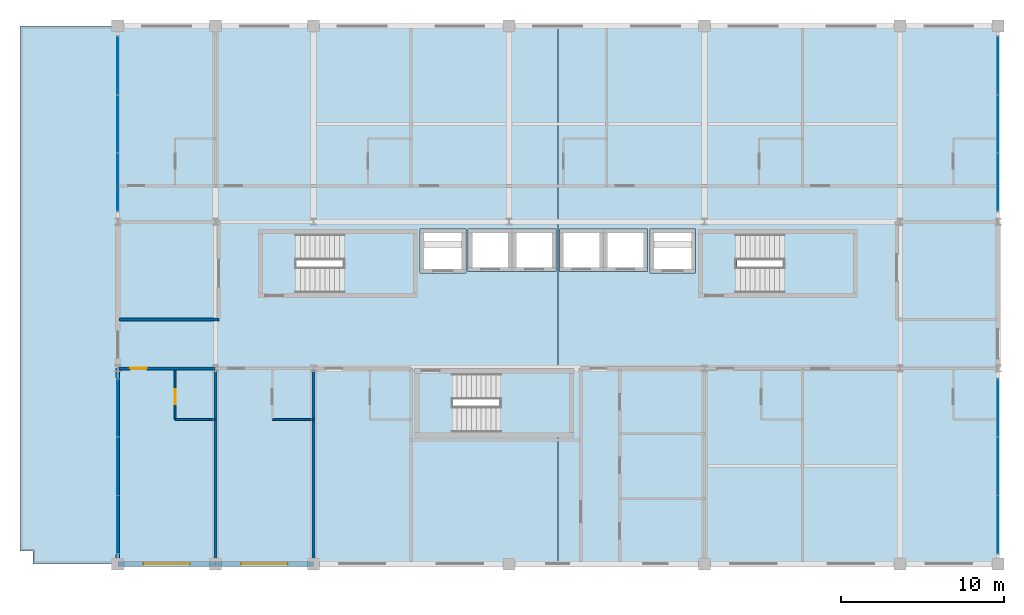
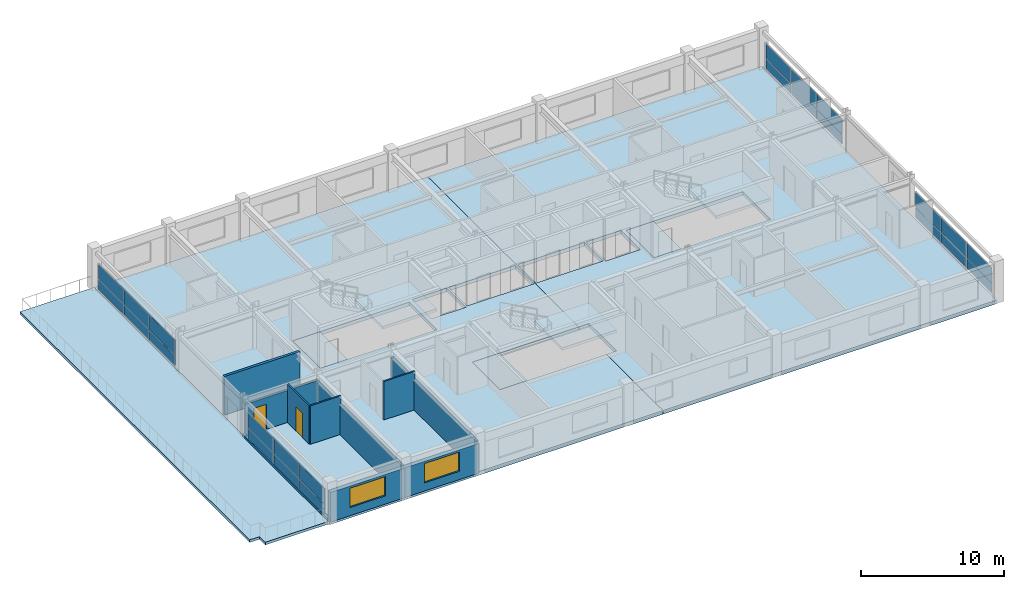
# One storey, part 16 of 21: 24 plates, 10 walls, 9 slabs, 2 doors, 2 windows, 4 openings, 7 elements without a shape of their own.
"""IFC4 building model written with IfcOpenShell, lengths in metres."""

from ifc_helpers import new_model, si_unit, direction, frame, frame_2d, origin, origin_2d, place, context, subcontext, project, spatial, polyline, rectangle, outline, extrude, material, layer, layer_set, type_object, element, fill, aggregate, save


model = new_model("IFC4")

# Units and contexts
model_context = context("Model", 3, precision=1e-05, world=origin(), true_north=direction((0.0, 1.0)))
body_context = subcontext(model_context, "Body", "Model", "MODEL_VIEW")
ifc_project = project(units=[si_unit("LENGTHUNIT", "METRE"), si_unit("AREAUNIT", "SQUARE_METRE"), si_unit("VOLUMEUNIT", "CUBIC_METRE"), si_unit("PLANEANGLEUNIT", "RADIAN"), si_unit("MASSUNIT", "GRAM", prefix="KILO")], contexts=[model_context])

# Site, building, storey
site_placement = place(None, origin())
site = spatial("IfcSite", under=ifc_project, at=site_placement, CompositionType="ELEMENT")
building_placement = place(site_placement, origin())
building = spatial("IfcBuilding", under=site, at=building_placement, Name="Kaldorvane Square Convention Centre", CompositionType="ELEMENT")
storey_placement = place(building_placement, frame((0.0, 0.0, 49.19999694824219)))
storey = spatial("IfcBuildingStorey", under=building, at=storey_placement, Name="L11", CompositionType="ELEMENT", Elevation=49.19999694824219)

# Curtain wall, plates
ifc_material_1 = material(Name="Anodized Aluminum and Low-E Insulated Glazing", Category="aluminium")
curtain_wall_type_1 = type_object("IfcCurtainWallType", Name="CW-UNI-HTL-A", PredefinedType="USERDEFINED", material=ifc_material_1)
curtain_wall_1_placement = place(storey_placement, origin())
curtain_wall_1 = element("IfcCurtainWall", 1, at=curtain_wall_1_placement, inside=storey, type_object=curtain_wall_type_1, Name="Curtain Wall CW-10 (L11)", ObjectType="UNITISED GLAZING", PredefinedType="USERDEFINED")
ifc_layer_1 = layer(ifc_material_1, 0.0240020751953125)
ifc_layer_set_1 = layer_set([ifc_layer_1], Name="Anodized Aluminum and Low-E Insulated Glazing")
plate_type_1 = type_object("IfcPlateType", Name="CW-PNL-11", PredefinedType="CURTAIN_PANEL", material=ifc_layer_set_1)
plate_1_placement = place(storey_placement, frame((84.0, 86.41499328613281, 0.2050018310546875), z_axis=(0.0, 0.0, 1.0), x_axis=(0.0, 1.0, 0.0)))
plate_1 = element("IfcPlate", 2, at=plate_1_placement, type_object=plate_type_1, Name="CW-10 panel 1.1", PredefinedType="CURTAIN_PANEL", context=body_context, shape_type="SweptSolid", body=[
    extrude(rectangle(XDim=3.5099945068359375, YDim=0.0240020751953125, at=origin_2d()), origin(), (0.0, 0.0, 1.0), 0.8175048828125),
])
plate_2_placement = place(storey_placement, frame((84.0, 86.41499328613281, 1.0774993896484375), z_axis=(0.0, 0.0, 1.0), x_axis=(0.0, 1.0, 0.0)))
plate_2 = element("IfcPlate", 3, at=plate_2_placement, type_object=plate_type_1, Name="CW-10 panel 1.2", PredefinedType="CURTAIN_PANEL", context=body_context, shape_type="SweptSolid", body=[
    extrude(rectangle(XDim=3.5099945068359375, YDim=0.0240020751953125, at=origin_2d()), origin(), (0.0, 0.0, 1.0), 1.277496337890625),
])
plate_3_placement = place(storey_placement, frame((84.0, 90.0, 0.2050018310546875), z_axis=(0.0, 0.0, 1.0), x_axis=(0.0, 1.0, 0.0)))
plate_3 = element("IfcPlate", 4, at=plate_3_placement, type_object=plate_type_1, Name="CW-10 panel 2.1", PredefinedType="CURTAIN_PANEL", context=body_context, shape_type="SweptSolid", body=[
    extrude(rectangle(XDim=3.5399932861328125, YDim=0.0240020751953125, at=origin_2d()), origin(), (0.0, 0.0, 1.0), 0.8175048828125),
])
plate_4_placement = place(storey_placement, frame((84.0, 90.0, 1.0774993896484375), z_axis=(0.0, 0.0, 1.0), x_axis=(0.0, 1.0, 0.0)))
plate_4 = element("IfcPlate", 5, at=plate_4_placement, type_object=plate_type_1, Name="CW-10 panel 2.2", PredefinedType="CURTAIN_PANEL", context=body_context, shape_type="SweptSolid", body=[
    extrude(rectangle(XDim=3.5399932861328125, YDim=0.0240020751953125, at=origin_2d()), origin(), (0.0, 0.0, 1.0), 1.277496337890625),
])
plate_5_placement = place(storey_placement, frame((84.0, 93.58500671386719, 0.2050018310546875), z_axis=(0.0, 0.0, 1.0), x_axis=(0.0, 1.0, 0.0)))
plate_5 = element("IfcPlate", 6, at=plate_5_placement, type_object=plate_type_1, Name="CW-10 panel 3.1", PredefinedType="CURTAIN_PANEL", context=body_context, shape_type="SweptSolid", body=[
    extrude(rectangle(XDim=3.5099945068359375, YDim=0.0240020751953125, at=origin_2d()), origin(), (0.0, 0.0, 1.0), 0.8175048828125),
])
plate_6_placement = place(storey_placement, frame((84.0, 93.58500671386719, 1.0774993896484375), z_axis=(0.0, 0.0, 1.0), x_axis=(0.0, 1.0, 0.0)))
plate_6 = element("IfcPlate", 7, at=plate_6_placement, type_object=plate_type_1, Name="CW-10 panel 3.2", PredefinedType="CURTAIN_PANEL", context=body_context, shape_type="SweptSolid", body=[
    extrude(rectangle(XDim=3.5099945068359375, YDim=0.0240020751953125, at=origin_2d()), origin(), (0.0, 0.0, 1.0), 1.277496337890625),
])
aggregate(curtain_wall_1, [plate_1, plate_2, plate_3, plate_4, plate_5, plate_6])

curtain_wall_2_placement = place(storey_placement, origin())
curtain_wall_2 = element("IfcCurtainWall", 8, at=curtain_wall_2_placement, inside=storey, type_object=curtain_wall_type_1, Name="Curtain Wall CW-10 (L11)", ObjectType="UNITISED GLAZING", PredefinedType="USERDEFINED")
plate_7_placement = place(storey_placement, frame((84.0, 107.41499328613281, 0.2050018310546875), z_axis=(0.0, 0.0, 1.0), x_axis=(0.0, 1.0, 0.0)))
plate_7 = element("IfcPlate", 9, at=plate_7_placement, type_object=plate_type_1, Name="CW-10 panel 1.1", PredefinedType="CURTAIN_PANEL", context=body_context, shape_type="SweptSolid", body=[
    extrude(rectangle(XDim=3.5099945068359375, YDim=0.0240020751953125, at=origin_2d()), origin(), (0.0, 0.0, 1.0), 0.8175048828125),
])
plate_8_placement = place(storey_placement, frame((84.0, 107.41499328613281, 1.0774993896484375), z_axis=(0.0, 0.0, 1.0), x_axis=(0.0, 1.0, 0.0)))
plate_8 = element("IfcPlate", 10, at=plate_8_placement, type_object=plate_type_1, Name="CW-10 panel 1.2", PredefinedType="CURTAIN_PANEL", context=body_context, shape_type="SweptSolid", body=[
    extrude(rectangle(XDim=3.5099945068359375, YDim=0.0240020751953125, at=origin_2d()), origin(), (0.0, 0.0, 1.0), 1.277496337890625),
])
plate_9_placement = place(storey_placement, frame((84.0, 111.0, 0.2050018310546875), z_axis=(0.0, 0.0, 1.0), x_axis=(0.0, 1.0, 0.0)))
plate_9 = element("IfcPlate", 11, at=plate_9_placement, type_object=plate_type_1, Name="CW-10 panel 2.1", PredefinedType="CURTAIN_PANEL", context=body_context, shape_type="SweptSolid", body=[
    extrude(rectangle(XDim=3.5399932861328125, YDim=0.0240020751953125, at=origin_2d()), origin(), (0.0, 0.0, 1.0), 0.8175048828125),
])
plate_10_placement = place(storey_placement, frame((84.0, 111.0, 1.0774993896484375), z_axis=(0.0, 0.0, 1.0), x_axis=(0.0, 1.0, 0.0)))
plate_10 = element("IfcPlate", 12, at=plate_10_placement, type_object=plate_type_1, Name="CW-10 panel 2.2", PredefinedType="CURTAIN_PANEL", context=body_context, shape_type="SweptSolid", body=[
    extrude(rectangle(XDim=3.5399932861328125, YDim=0.0240020751953125, at=origin_2d()), origin(), (0.0, 0.0, 1.0), 1.277496337890625),
])
plate_11_placement = place(storey_placement, frame((84.0, 114.58500671386719, 0.2050018310546875), z_axis=(0.0, 0.0, 1.0), x_axis=(0.0, 1.0, 0.0)))
plate_11 = element("IfcPlate", 13, at=plate_11_placement, type_object=plate_type_1, Name="CW-10 panel 3.1", PredefinedType="CURTAIN_PANEL", context=body_context, shape_type="SweptSolid", body=[
    extrude(rectangle(XDim=3.5099945068359375, YDim=0.0240020751953125, at=origin_2d()), origin(), (0.0, 0.0, 1.0), 0.8175048828125),
])
plate_12_placement = place(storey_placement, frame((84.0, 114.58500671386719, 1.0774993896484375), z_axis=(0.0, 0.0, 1.0), x_axis=(0.0, 1.0, 0.0)))
plate_12 = element("IfcPlate", 14, at=plate_12_placement, type_object=plate_type_1, Name="CW-10 panel 3.2", PredefinedType="CURTAIN_PANEL", context=body_context, shape_type="SweptSolid", body=[
    extrude(rectangle(XDim=3.5099945068359375, YDim=0.0240020751953125, at=origin_2d()), origin(), (0.0, 0.0, 1.0), 1.277496337890625),
])
aggregate(curtain_wall_2, [plate_7, plate_8, plate_9, plate_10, plate_11, plate_12])

curtain_wall_type_2 = type_object("IfcCurtainWallType", Name="CW-UNI-HTL-B", PredefinedType="USERDEFINED", material=ifc_material_1)
curtain_wall_3_placement = place(storey_placement, origin())
curtain_wall_3 = element("IfcCurtainWall", 15, at=curtain_wall_3_placement, inside=storey, type_object=curtain_wall_type_2, Name="Curtain Wall CW-11 (L11)", ObjectType="UNITISED GLAZING", PredefinedType="USERDEFINED")
ifc_layer_2 = layer(ifc_material_1, 0.0460052490234375)
ifc_layer_set_2 = layer_set([ifc_layer_2], Name="Anodized Aluminum and Low-E Insulated Glazing")
plate_type_2 = type_object("IfcPlateType", Name="CW-PNL-12", PredefinedType="CURTAIN_PANEL", material=ifc_layer_set_2)
plate_13_placement = place(storey_placement, frame((30.0, 93.58500671386719, 0.2050018310546875), z_axis=(0.0, 0.0, 1.0), x_axis=(0.0, -1.0, 0.0)))
plate_13 = element("IfcPlate", 16, at=plate_13_placement, type_object=plate_type_2, Name="CW-11 panel 1.1", PredefinedType="CURTAIN_PANEL", context=body_context, shape_type="SweptSolid", body=[
    extrude(rectangle(XDim=3.5099945068359375, YDim=0.0460052490234375, at=origin_2d()), origin(), (0.0, 0.0, 1.0), 0.8175048828125),
])
plate_14_placement = place(storey_placement, frame((30.0, 93.58500671386719, 1.0774993896484375), z_axis=(0.0, 0.0, 1.0), x_axis=(0.0, -1.0, 0.0)))
plate_14 = element("IfcPlate", 17, at=plate_14_placement, type_object=plate_type_2, Name="CW-11 panel 1.2", PredefinedType="CURTAIN_PANEL", context=body_context, shape_type="SweptSolid", body=[
    extrude(rectangle(XDim=3.5099945068359375, YDim=0.0460052490234375, at=origin_2d()), origin(), (0.0, 0.0, 1.0), 1.277496337890625),
])
plate_15_placement = place(storey_placement, frame((30.0, 90.0, 0.2050018310546875), z_axis=(0.0, 0.0, 1.0), x_axis=(0.0, -1.0, 0.0)))
plate_15 = element("IfcPlate", 18, at=plate_15_placement, type_object=plate_type_2, Name="CW-11 panel 2.1", PredefinedType="CURTAIN_PANEL", context=body_context, shape_type="SweptSolid", body=[
    extrude(rectangle(XDim=3.5399932861328125, YDim=0.0460052490234375, at=origin_2d()), origin(), (0.0, 0.0, 1.0), 0.8175048828125),
])
plate_16_placement = place(storey_placement, frame((30.0, 90.0, 1.0774993896484375), z_axis=(0.0, 0.0, 1.0), x_axis=(0.0, -1.0, 0.0)))
plate_16 = element("IfcPlate", 19, at=plate_16_placement, type_object=plate_type_2, Name="CW-11 panel 2.2", PredefinedType="CURTAIN_PANEL", context=body_context, shape_type="SweptSolid", body=[
    extrude(rectangle(XDim=3.5399932861328125, YDim=0.0460052490234375, at=origin_2d()), origin(), (0.0, 0.0, 1.0), 1.277496337890625),
])
plate_17_placement = place(storey_placement, frame((30.0, 86.41499328613281, 0.2050018310546875), z_axis=(0.0, 0.0, 1.0), x_axis=(0.0, -1.0, 0.0)))
plate_17 = element("IfcPlate", 20, at=plate_17_placement, type_object=plate_type_2, Name="CW-11 panel 3.1", PredefinedType="CURTAIN_PANEL", context=body_context, shape_type="SweptSolid", body=[
    extrude(rectangle(XDim=3.5099945068359375, YDim=0.0460052490234375, at=origin_2d()), origin(), (0.0, 0.0, 1.0), 0.8175048828125),
])
plate_18_placement = place(storey_placement, frame((30.0, 86.41499328613281, 1.0774993896484375), z_axis=(0.0, 0.0, 1.0), x_axis=(0.0, -1.0, 0.0)))
plate_18 = element("IfcPlate", 21, at=plate_18_placement, type_object=plate_type_2, Name="CW-11 panel 3.2", PredefinedType="CURTAIN_PANEL", context=body_context, shape_type="SweptSolid", body=[
    extrude(rectangle(XDim=3.5099945068359375, YDim=0.0460052490234375, at=origin_2d()), origin(), (0.0, 0.0, 1.0), 1.277496337890625),
])
aggregate(curtain_wall_3, [plate_13, plate_14, plate_15, plate_16, plate_17, plate_18])

curtain_wall_4_placement = place(storey_placement, origin())
curtain_wall_4 = element("IfcCurtainWall", 22, at=curtain_wall_4_placement, inside=storey, type_object=curtain_wall_type_2, Name="Curtain Wall CW-11 (L11)", ObjectType="UNITISED GLAZING", PredefinedType="USERDEFINED")
plate_19_placement = place(storey_placement, frame((30.0, 114.58500671386719, 0.2050018310546875), z_axis=(0.0, 0.0, 1.0), x_axis=(0.0, -1.0, 0.0)))
plate_19 = element("IfcPlate", 23, at=plate_19_placement, type_object=plate_type_2, Name="CW-11 panel 1.1", PredefinedType="CURTAIN_PANEL", context=body_context, shape_type="SweptSolid", body=[
    extrude(rectangle(XDim=3.5099945068359375, YDim=0.0460052490234375, at=origin_2d()), origin(), (0.0, 0.0, 1.0), 0.8175048828125),
])
plate_20_placement = place(storey_placement, frame((30.0, 114.58500671386719, 1.0774993896484375), z_axis=(0.0, 0.0, 1.0), x_axis=(0.0, -1.0, 0.0)))
plate_20 = element("IfcPlate", 24, at=plate_20_placement, type_object=plate_type_2, Name="CW-11 panel 1.2", PredefinedType="CURTAIN_PANEL", context=body_context, shape_type="SweptSolid", body=[
    extrude(rectangle(XDim=3.5099945068359375, YDim=0.0460052490234375, at=origin_2d()), origin(), (0.0, 0.0, 1.0), 1.277496337890625),
])
plate_21_placement = place(storey_placement, frame((30.0, 111.0, 0.2050018310546875), z_axis=(0.0, 0.0, 1.0), x_axis=(0.0, -1.0, 0.0)))
plate_21 = element("IfcPlate", 25, at=plate_21_placement, type_object=plate_type_2, Name="CW-11 panel 2.1", PredefinedType="CURTAIN_PANEL", context=body_context, shape_type="SweptSolid", body=[
    extrude(rectangle(XDim=3.5399932861328125, YDim=0.0460052490234375, at=origin_2d()), origin(), (0.0, 0.0, 1.0), 0.8175048828125),
])
plate_22_placement = place(storey_placement, frame((30.0, 111.0, 1.0774993896484375), z_axis=(0.0, 0.0, 1.0), x_axis=(0.0, -1.0, 0.0)))
plate_22 = element("IfcPlate", 26, at=plate_22_placement, type_object=plate_type_2, Name="CW-11 panel 2.2", PredefinedType="CURTAIN_PANEL", context=body_context, shape_type="SweptSolid", body=[
    extrude(rectangle(XDim=3.5399932861328125, YDim=0.0460052490234375, at=origin_2d()), origin(), (0.0, 0.0, 1.0), 1.277496337890625),
])
plate_23_placement = place(storey_placement, frame((30.0, 107.41499328613281, 0.2050018310546875), z_axis=(0.0, 0.0, 1.0), x_axis=(0.0, -1.0, 0.0)))
plate_23 = element("IfcPlate", 27, at=plate_23_placement, type_object=plate_type_2, Name="CW-11 panel 3.1", PredefinedType="CURTAIN_PANEL", context=body_context, shape_type="SweptSolid", body=[
    extrude(rectangle(XDim=3.5099945068359375, YDim=0.0460052490234375, at=origin_2d()), origin(), (0.0, 0.0, 1.0), 0.8175048828125),
])
plate_24_placement = place(storey_placement, frame((30.0, 107.41499328613281, 1.0774993896484375), z_axis=(0.0, 0.0, 1.0), x_axis=(0.0, -1.0, 0.0)))
plate_24 = element("IfcPlate", 28, at=plate_24_placement, type_object=plate_type_2, Name="CW-11 panel 3.2", PredefinedType="CURTAIN_PANEL", context=body_context, shape_type="SweptSolid", body=[
    extrude(rectangle(XDim=3.5099945068359375, YDim=0.0460052490234375, at=origin_2d()), origin(), (0.0, 0.0, 1.0), 1.277496337890625),
])
aggregate(curtain_wall_4, [plate_19, plate_20, plate_21, plate_22, plate_23, plate_24])

# Slabs
ifc_material_2 = material(Name="Concrete f'c = 42 MPa (Normalweight)", Category="concrete")
ifc_layer_3 = layer(ifc_material_2, 0.279998779296875)
ifc_layer_set_3 = layer_set([ifc_layer_3], Name="Concrete f'c = 42 MPa (Normalweight)")
slab_type_1 = type_object("IfcSlabType", Name="SL-FLND-280", PredefinedType="FLOOR", material=ifc_layer_set_3)
slab_1_placement = place(storey_placement, frame((0.0, 0.0, -0.279998779296875)))
element("IfcSlab", 29, at=slab_1_placement, inside=storey, type_object=slab_type_1, Name="Tower Exit Stair T1 Floor Landing (L11)", PredefinedType="FLOOR", context=body_context, shape_type="SweptSolid", body=[
    extrude(outline(polyline([(38.779998779296875, 100.49000549316406), (40.97999572753906, 100.49000549316406), (40.97999572753906, 104.3699951171875), (38.779998779296875, 104.3699951171875), (38.779998779296875, 100.49000549316406)])), origin(), (0.0, 0.0, 1.0), 0.279998779296875),
])
slab_2_placement = place(storey_placement, frame((0.0, 0.0, -0.279998779296875)))
element("IfcSlab", 30, at=slab_2_placement, inside=storey, type_object=slab_type_1, Name="Tower Exit Stair T2 Floor Landing (L11)", PredefinedType="FLOOR", context=body_context, shape_type="SweptSolid", body=[
    extrude(outline(polyline([(65.77999877929688, 100.49000549316406), (67.97999572753906, 100.49000549316406), (67.97999572753906, 104.3699951171875), (65.77999877929688, 104.3699951171875), (65.77999877929688, 100.49000549316406)])), origin(), (0.0, 0.0, 1.0), 0.279998779296875),
])
slab_3_placement = place(storey_placement, frame((0.0, 0.0, -0.279998779296875)))
element("IfcSlab", 31, at=slab_3_placement, inside=storey, type_object=slab_type_1, Name="Tower Exit Stair T3 Floor Landing (L11)", PredefinedType="FLOOR", context=body_context, shape_type="SweptSolid", body=[
    extrude(outline(polyline([(48.3800048828125, 91.94000244140625), (50.58000183105469, 91.94000244140625), (50.58000183105469, 95.82000732421875), (48.3800048828125, 95.82000732421875), (48.3800048828125, 91.94000244140625)])), origin(), (0.0, 0.0, 1.0), 0.279998779296875),
])
ifc_layer_4 = layer(ifc_material_2, 0.30999755859375)
ifc_layer_set_4 = layer_set([ifc_layer_4], Name="Concrete f'c = 42 MPa (Normalweight)")
slab_type_2 = type_object("IfcSlabType", Name="SL-HTL-250", PredefinedType="FLOOR", material=ifc_layer_set_4)
slab_4_placement = place(storey_placement, frame((0.0, 0.0, -0.30999755859375)))
element("IfcSlab", 32, at=slab_4_placement, inside=storey, type_object=slab_type_2, Name="Hotel Tower Floor Slab L11-1.1", PredefinedType="FLOOR", context=body_context, shape_type="SweptSolid", body=[
    extrude(outline(polyline([(30.0, 117.0), (57.0, 117.0), (57.0, 95.82000732421875), (48.3800048828125, 95.82000732421875), (48.3800048828125, 91.94000244140625), (57.0, 91.94000244140625), (57.0, 84.0), (30.0, 84.0), (30.0, 117.0)]), holes=[polyline([(38.779998779296875, 104.3699951171875), (38.779998779296875, 100.49000549316406), (48.220001220703125, 100.49000549316406), (48.220001220703125, 104.3699951171875), (38.779998779296875, 104.3699951171875)]), polyline([(48.55000305175781, 104.55000305175781), (48.55000305175781, 101.85000610351562), (51.350006103515625, 101.85000610351562), (51.350006103515625, 104.55000305175781), (48.55000305175781, 104.55000305175781)]), polyline([(51.5, 104.55000305175781), (51.5, 101.94999694824219), (54.19999694824219, 101.94999694824219), (56.899993896484375, 101.94999694824219), (56.899993896484375, 104.55000305175781), (54.19999694824219, 104.55000305175781), (51.5, 104.55000305175781)])]), origin(), (0.0, 0.0, 1.0), 0.30999755859375),
])
slab_5_placement = place(storey_placement, frame((0.0, 0.0, -0.30999755859375)))
element("IfcSlab", 33, at=slab_5_placement, inside=storey, type_object=slab_type_2, Name="Hotel Tower Floor Slab L11-2.1", PredefinedType="FLOOR", context=body_context, shape_type="SweptSolid", body=[
    extrude(outline(polyline([(84.0, 117.0), (84.0, 84.0), (57.0, 84.0), (57.0, 91.94000244140625), (57.82000732421875, 91.94000244140625), (57.82000732421875, 95.82000732421875), (57.0, 95.82000732421875), (57.0, 117.0), (84.0, 117.0)]), holes=[polyline([(65.77999877929688, 104.3699951171875), (65.77999877929688, 100.49000549316406), (75.22000122070312, 100.49000549316406), (75.22000122070312, 104.3699951171875), (65.77999877929688, 104.3699951171875)]), polyline([(62.649993896484375, 104.55000305175781), (62.649993896484375, 101.85000610351562), (65.44999694824219, 101.85000610351562), (65.44999694824219, 104.55000305175781), (62.649993896484375, 104.55000305175781)]), polyline([(57.100006103515625, 104.55000305175781), (57.100006103515625, 101.94999694824219), (59.80000305175781, 101.94999694824219), (62.5, 101.94999694824219), (62.5, 104.55000305175781), (59.80000305175781, 104.55000305175781), (57.100006103515625, 104.55000305175781)])]), origin(), (0.0, 0.0, 1.0), 0.30999755859375),
])

# Stair, slab
stair_type = type_object("IfcStairType", Name="ST-DL-1600-3600", PredefinedType="HALF_TURN_STAIR", material=ifc_material_2)
stair_1_placement = place(storey_placement, origin())
stair_1 = element("IfcStair", 34, at=stair_1_placement, inside=storey, type_object=stair_type, Name="Tower Exit Stair T1 (L11)", PredefinedType="HALF_TURN_STAIR")
ifc_layer_5 = layer(ifc_material_2, 0.2400054931640625)
ifc_layer_set_5 = layer_set([ifc_layer_5], Name="Concrete f'c = 42 MPa (Normalweight)")
slab_type_3 = type_object("IfcSlabType", Name="SL-LAND-240", PredefinedType="LANDING", material=ifc_layer_set_5)
slab_6_placement = place(storey_placement, frame((0.0, 0.0, 1.55999755859375)))
slab_6 = element("IfcSlab", 35, at=slab_6_placement, type_object=slab_type_3, Name="Tower Exit Stair T1 Half Landing (L11)", PredefinedType="LANDING", context=body_context, shape_type="SweptSolid", body=[
    extrude(outline(polyline([(43.82000732421875, 100.49000549316406), (48.220001220703125, 100.49000549316406), (48.220001220703125, 104.3699951171875), (43.82000732421875, 104.3699951171875), (43.82000732421875, 100.49000549316406)])), origin(), (0.0, 0.0, 1.0), 0.2400054931640625),
])
aggregate(stair_1, [slab_6])

stair_2_placement = place(storey_placement, origin())
stair_2 = element("IfcStair", 36, at=stair_2_placement, inside=storey, type_object=stair_type, Name="Tower Exit Stair T2 (L11)", PredefinedType="HALF_TURN_STAIR")
slab_7_placement = place(storey_placement, frame((0.0, 0.0, 1.55999755859375)))
slab_7 = element("IfcSlab", 37, at=slab_7_placement, type_object=slab_type_3, Name="Tower Exit Stair T2 Half Landing (L11)", PredefinedType="LANDING", context=body_context, shape_type="SweptSolid", body=[
    extrude(outline(polyline([(70.82000732421875, 100.49000549316406), (75.22000122070312, 100.49000549316406), (75.22000122070312, 104.3699951171875), (70.82000732421875, 104.3699951171875), (70.82000732421875, 100.49000549316406)])), origin(), (0.0, 0.0, 1.0), 0.2400054931640625),
])
aggregate(stair_2, [slab_7])

stair_3_placement = place(storey_placement, origin())
stair_3 = element("IfcStair", 38, at=stair_3_placement, inside=storey, type_object=stair_type, Name="Tower Exit Stair T3 (L11)", PredefinedType="HALF_TURN_STAIR")
slab_8_placement = place(storey_placement, frame((0.0, 0.0, 1.55999755859375)))
slab_8 = element("IfcSlab", 39, at=slab_8_placement, type_object=slab_type_3, Name="Tower Exit Stair T3 Half Landing (L11)", PredefinedType="LANDING", context=body_context, shape_type="SweptSolid", body=[
    extrude(outline(polyline([(53.41999816894531, 91.94000244140625), (57.82000732421875, 91.94000244140625), (57.82000732421875, 95.82000732421875), (53.41999816894531, 95.82000732421875), (53.41999816894531, 91.94000244140625)])), origin(), (0.0, 0.0, 1.0), 0.2400054931640625),
])
aggregate(stair_3, [slab_8])

# Slab
ifc_layer_6 = layer(ifc_material_2, 0.225006103515625)
ifc_layer_set_6 = layer_set([ifc_layer_6], Name="Concrete f'c = 42 MPa (Normalweight)")
slab_type_4 = type_object("IfcSlabType", Name="SL-TERR-225", PredefinedType="FLOOR", material=ifc_layer_set_6)
slab_9_placement = place(storey_placement, frame((0.0, 0.0, -0.2249908447265625)))
element("IfcSlab", 40, at=slab_9_placement, inside=storey, type_object=slab_type_4, Name="West Setback Sky Terrace Slab (L11)", PredefinedType="FLOOR", context=body_context, shape_type="SweptSolid", body=[
    extrude(outline(polyline([(24.0, 117.0), (30.0, 117.0), (30.0, 84.0), (24.800003051757812, 84.0), (24.800003051757812, 84.80000305175781), (24.0, 84.80000305175781), (24.0, 117.0)])), origin(), (0.0, 0.0, 1.0), 0.2249908447265625),
])

# Wall, opening, door
ifc_material_3 = material(Name="Fire-Rated Gypsum Board on Acoustic Steel Studs", Category="steel")
ifc_layer_7 = layer(ifc_material_3, 0.125)
ifc_layer_set_7 = layer_set([ifc_layer_7], Name="Fire-Rated Gypsum Board on Acoustic Steel Studs")
wall_type_1 = type_object("IfcWallType", Name="WL-BATH-125", PredefinedType="PARTITIONING", material=ifc_layer_set_7)
wall_1_placement = place(storey_placement, frame((33.52000427246094, 92.85000610351562, 0.0), z_axis=(0.0, 0.0, 1.0), x_axis=(0.0, 1.0, 0.0)))
wall_1 = element("IfcWall", 41, at=wall_1_placement, inside=storey, type_object=wall_type_1, Name="En-Suite 1106 West Wall", PredefinedType="PARTITIONING", context=body_context, shape_type="SweptSolid", body=[
    extrude(rectangle(XDim=3.05999755859375, YDim=0.125, at=frame_2d((1.529998779296875, 0.0))), origin(), (0.0, 0.0, 1.0), 3.290008544921875),
])
opening_1_placement = place(wall_1_placement, frame((0.9499969482421875, 0.0, 0.0)))
opening_1 = element("IfcOpeningElement", 42, at=opening_1_placement, cuts=wall_1, Name="Opening ID-12", PredefinedType="OPENING", context=body_context, shape_type="SweptSolid", body=[
    extrude(rectangle(XDim=0.9199981689453125, YDim=2.100006103515625, at=frame_2d((0.459991455078125, 1.0500030517578125))), frame((0.0, 0.0774993896484375, 0.0), z_axis=(0.0, -1.0, 0.0), x_axis=(1.0, 0.0, 0.0)), (0.0, 0.0, 1.0), 0.154998779296875),
])
ifc_material_4 = material(Name="Architectural Solid-Core White Oak")
door_type_1 = type_object("IfcDoorType", Name="DR-BATH-0920X2100", OperationType="SINGLE_SWING_RIGHT", PredefinedType="DOOR", material=ifc_material_4)
door_1_placement = place(opening_1_placement, origin())
door_1 = element("IfcDoor", 43, at=door_1_placement, inside=storey, type_object=door_type_1, Name="En-Suite Bathroom 1106 Door", OperationType="SINGLE_SWING_RIGHT", OverallHeight=2.100006103515625, OverallWidth=0.9199981689453125, PredefinedType="DOOR", context=body_context, shape_type="SweptSolid", body=[
    extrude(rectangle(XDim=0.9199981689453125, YDim=2.100006103515625, at=frame_2d((0.459991455078125, 1.0500030517578125))), frame((0.0, 0.024993896484375, 0.0), z_axis=(0.0, -1.0, 0.0), x_axis=(1.0, 0.0, 0.0)), (0.0, 0.0, 1.0), 0.0500030517578125),
])
fill(opening_1, door_1)

# Walls
wall_2_placement = place(storey_placement, frame((33.52000427246094, 92.85000610351562, 0.0), z_axis=(0.0, 0.0, 1.0), x_axis=(1.0, 0.0, 0.0)))
element("IfcWall", 44, at=wall_2_placement, inside=storey, type_object=wall_type_1, Name="En-Suite 1106 South Wall", PredefinedType="PARTITIONING", context=body_context, shape_type="SweptSolid", body=[
    extrude(rectangle(XDim=2.4799957275390625, YDim=0.125, at=frame_2d((1.239990234375, 0.0))), origin(), (0.0, 0.0, 1.0), 3.290008544921875),
])
wall_3_placement = place(storey_placement, frame((39.47999572753906, 92.85000610351562, 0.0), z_axis=(0.0, 0.0, 1.0), x_axis=(1.0, 0.0, 0.0)))
element("IfcWall", 45, at=wall_3_placement, inside=storey, type_object=wall_type_1, Name="En-Suite 1107 South Wall", PredefinedType="PARTITIONING", context=body_context, shape_type="SweptSolid", body=[
    extrude(rectangle(XDim=2.5200042724609375, YDim=0.125, at=frame_2d((1.260009765625, 0.0))), origin(), (0.0, 0.0, 1.0), 3.290008544921875),
])
ifc_layer_8 = layer(ifc_material_3, 0.1999969482421875)
ifc_layer_set_8 = layer_set([ifc_layer_8], Name="Fire-Rated Gypsum Board on Acoustic Steel Studs")
wall_type_2 = type_object("IfcWallType", Name="WL-CORR-200", PredefinedType="PARTITIONING", material=ifc_layer_set_8)
wall_4_placement = place(storey_placement, frame((30.085006713867188, 99.0, 0.0), z_axis=(0.0, 0.0, 1.0), x_axis=(1.0, 0.0, 0.0)))
element("IfcWall", 46, at=wall_4_placement, inside=storey, type_object=wall_type_2, Name="West Sunset Sitting Alcove (L11) S Wall", PredefinedType="PARTITIONING", context=body_context, shape_type="SweptSolid", body=[
    extrude(rectangle(XDim=6.114990234375, YDim=0.1999969482421875, at=frame_2d((3.0574951171875, 0.0))), origin(), (0.0, 0.0, 1.0), 3.290008544921875),
])

# Wall, opening, window
ifc_material_5 = material(Name="Concrete f'c = 35 MPa (Normalweight)", Category="concrete")
ifc_layer_9 = layer(ifc_material_5, 0.32000732421875)
ifc_layer_set_9 = layer_set([ifc_layer_9], Name="Concrete f'c = 35 MPa (Normalweight)")
wall_type_3 = type_object("IfcWallType", Name="WL-EXT-320", PredefinedType="STANDARD", material=ifc_layer_set_9)
wall_5_placement = place(storey_placement, frame((30.0, 84.0, 0.0), z_axis=(0.0, 0.0, 1.0), x_axis=(1.0, 0.0, 0.0)))
wall_5 = element("IfcWall", 47, at=wall_5_placement, inside=storey, type_object=wall_type_3, Name="Hotel S Brutalist Facade Wall (L11)", PredefinedType="STANDARD", context=body_context, shape_type="SweptSolid", body=[
    extrude(rectangle(XDim=6.0, YDim=0.32000732421875, at=frame_2d((3.0, 0.0))), origin(), (0.0, 0.0, 1.0), 2.5359954833984375),
])
opening_2_placement = place(wall_5_placement, frame((1.5749969482421875, 0.0, 0.6999969482421875)))
opening_2 = element("IfcOpeningElement", 48, at=opening_2_placement, cuts=wall_5, Name="Opening W-04", PredefinedType="OPENING", context=body_context, shape_type="SweptSolid", body=[
    extrude(rectangle(XDim=2.850006103515625, YDim=1.649993896484375, at=frame_2d((1.4250030517578125, 0.8249969482421875))), frame((0.0, 0.1750030517578125, 0.0), z_axis=(0.0, -1.0, 0.0), x_axis=(1.0, 0.0, 0.0)), (0.0, 0.0, 1.0), 0.350006103515625),
])
window_type = type_object("IfcWindowType", Name="WN-HTL-2850X1650", PartitioningType="TRIPLE_PANEL_VERTICAL", PredefinedType="WINDOW", material=ifc_material_1)
window_1_placement = place(opening_2_placement, origin())
window_1 = element("IfcWindow", 49, at=window_1_placement, inside=storey, type_object=window_type, Name="Hotel S Window (L11)", OverallHeight=1.649993896484375, OverallWidth=2.850006103515625, PartitioningType="TRIPLE_PANEL_VERTICAL", PredefinedType="WINDOW", context=body_context, shape_type="SweptSolid", body=[
    extrude(rectangle(XDim=2.850006103515625, YDim=1.649993896484375, at=frame_2d((1.4250030517578125, 0.8249969482421875))), frame((0.0, 0.029998779296875, 0.0), z_axis=(0.0, -1.0, 0.0), x_axis=(1.0, 0.0, 0.0)), (0.0, 0.0, 1.0), 0.05999755859375),
])
fill(opening_2, window_1)

wall_6_placement = place(storey_placement, frame((36.0, 84.0, 0.0), z_axis=(0.0, 0.0, 1.0), x_axis=(1.0, 0.0, 0.0)))
wall_6 = element("IfcWall", 50, at=wall_6_placement, inside=storey, type_object=wall_type_3, Name="Hotel S Brutalist Facade Wall (L11)", PredefinedType="STANDARD", context=body_context, shape_type="SweptSolid", body=[
    extrude(rectangle(XDim=6.0, YDim=0.32000732421875, at=frame_2d((3.0, 0.0))), origin(), (0.0, 0.0, 1.0), 2.5359954833984375),
])
opening_3_placement = place(wall_6_placement, frame((1.5749969482421875, 0.0, 0.6999969482421875)))
opening_3 = element("IfcOpeningElement", 51, at=opening_3_placement, cuts=wall_6, Name="Opening W-04", PredefinedType="OPENING", context=body_context, shape_type="SweptSolid", body=[
    extrude(rectangle(XDim=2.850006103515625, YDim=1.649993896484375, at=frame_2d((1.4250030517578125, 0.8249969482421875))), frame((0.0, 0.1750030517578125, 0.0), z_axis=(0.0, -1.0, 0.0), x_axis=(1.0, 0.0, 0.0)), (0.0, 0.0, 1.0), 0.350006103515625),
])
window_2_placement = place(opening_3_placement, origin())
window_2 = element("IfcWindow", 52, at=window_2_placement, inside=storey, type_object=window_type, Name="Hotel S Window (L11)", OverallHeight=1.649993896484375, OverallWidth=2.850006103515625, PartitioningType="TRIPLE_PANEL_VERTICAL", PredefinedType="WINDOW", context=body_context, shape_type="SweptSolid", body=[
    extrude(rectangle(XDim=2.850006103515625, YDim=1.649993896484375, at=frame_2d((1.4250030517578125, 0.8249969482421875))), frame((0.0, 0.029998779296875, 0.0), z_axis=(0.0, -1.0, 0.0), x_axis=(1.0, 0.0, 0.0)), (0.0, 0.0, 1.0), 0.05999755859375),
])
fill(opening_3, window_2)

# Wall
ifc_layer_10 = layer(ifc_material_5, 0.220001220703125)
ifc_layer_set_10 = layer_set([ifc_layer_10], Name="Concrete f'c = 35 MPa (Normalweight)")
wall_type_4 = type_object("IfcWallType", Name="WL-PAR-220", PredefinedType="PARAPET", material=ifc_layer_set_10)
wall_7_placement = place(storey_placement, frame((30.0, 96.0, 0.0), z_axis=(0.0, 0.0, 1.0), x_axis=(0.0, -1.0, 0.0)))
element("IfcWall", 53, at=wall_7_placement, inside=storey, type_object=wall_type_4, Name="Hotel End Curtain-Wall Sill (L11)", PredefinedType="PARAPET", context=body_context, shape_type="SweptSolid", body=[
    extrude(rectangle(XDim=12.0, YDim=0.220001220703125, at=frame_2d((6.0, 0.0))), origin(), (0.0, 0.0, 1.0), 0.1999969482421875),
])

# Wall, opening, door
ifc_layer_11 = layer(ifc_material_3, 0.17999267578125)
ifc_layer_set_11 = layer_set([ifc_layer_11], Name="Fire-Rated Gypsum Board on Acoustic Steel Studs")
wall_type_5 = type_object("IfcWallType", Name="WL-UNIT-180", PredefinedType="PARTITIONING", material=ifc_layer_set_11)
wall_8_placement = place(storey_placement, frame((30.085006713867188, 96.0, 0.0), z_axis=(0.0, 0.0, 1.0), x_axis=(1.0, 0.0, 0.0)))
wall_8 = element("IfcWall", 54, at=wall_8_placement, inside=storey, type_object=wall_type_5, Name="Hotel Guest Room 1106 Corridor Wall", PredefinedType="PARTITIONING", context=body_context, shape_type="SweptSolid", body=[
    extrude(rectangle(XDim=5.9149932861328125, YDim=0.17999267578125, at=frame_2d((2.957489013671875, 0.0))), origin(), (0.0, 0.0, 1.0), 2.7360076904296875),
])
opening_4_placement = place(wall_8_placement, frame((0.68499755859375, 0.0, 0.0)))
opening_4 = element("IfcOpeningElement", 55, at=opening_4_placement, cuts=wall_8, Name="Opening ID-10", PredefinedType="OPENING", context=body_context, shape_type="SweptSolid", body=[
    extrude(rectangle(XDim=1.0, YDim=2.149993896484375, at=frame_2d((0.5, 1.0749969482421875))), frame((0.0, 0.1049957275390625, 0.0), z_axis=(0.0, -1.0, 0.0), x_axis=(1.0, 0.0, 0.0)), (0.0, 0.0, 1.0), 0.209991455078125),
])
door_type_2 = type_object("IfcDoorType", Name="DR-GUEST-1000X2150", OperationType="SINGLE_SWING_LEFT", PredefinedType="DOOR", material=ifc_material_4)
door_2_placement = place(opening_4_placement, origin())
door_2 = element("IfcDoor", 56, at=door_2_placement, inside=storey, type_object=door_type_2, Name="Hotel Guest Room 1106 Entry Door", OperationType="SINGLE_SWING_LEFT", OverallHeight=2.149993896484375, OverallWidth=1.0, PredefinedType="DOOR", context=body_context, shape_type="SweptSolid", body=[
    extrude(rectangle(XDim=1.0, YDim=2.149993896484375, at=frame_2d((0.5, 1.0749969482421875))), frame((0.0, 0.024993896484375, 0.0), z_axis=(0.0, -1.0, 0.0), x_axis=(1.0, 0.0, 0.0)), (0.0, 0.0, 1.0), 0.0500030517578125),
])
fill(opening_4, door_2)

# Walls
for number, where, z_axis, x_axis, name in (
    (57, (36.0, 84.16000366210938, 0.0), (0.0, 0.0, 1.0), (0.0, 1.0, 0.0), "Guestroom Demising Wall 1106"),
    (58, (42.0, 84.16000366210938, 0.0), (0.0, 0.0, 1.0), (0.0, 1.0, 0.0), "Guestroom Demising Wall 1107"),
):
    element("IfcWall", number, at=place(storey_placement, frame(where, z_axis=z_axis, x_axis=x_axis)), inside=storey, type_object=wall_type_5, Name=name, PredefinedType="PARTITIONING", context=body_context, shape_type="SweptSolid", body=[
        extrude(rectangle(XDim=11.839996337890625, YDim=0.17999267578125, at=frame_2d((5.9199981689453125, 0.0))), origin(), (0.0, 0.0, 1.0), 2.589996337890625),
    ])

save(model, "model.ifc")
